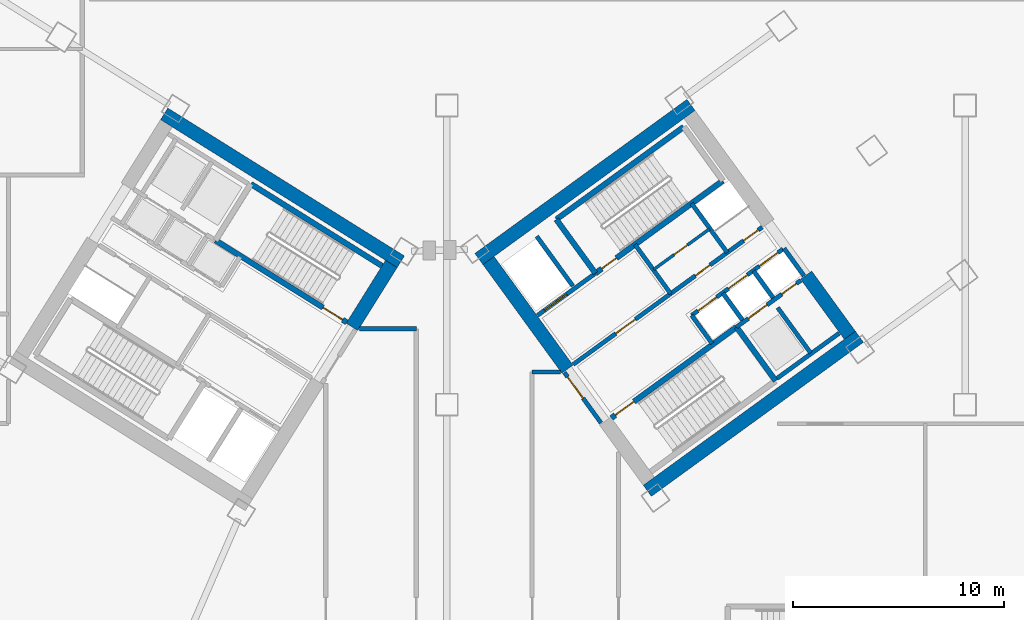
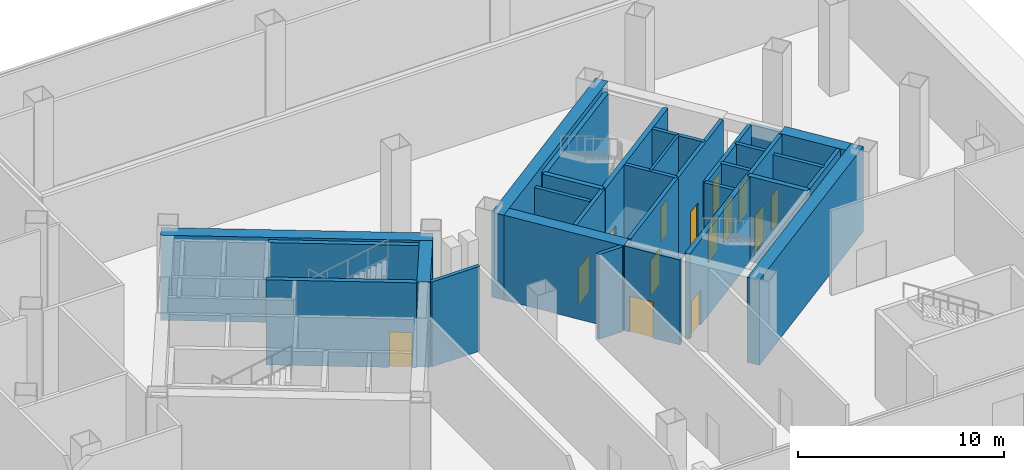
# One storey, part 12 of 22: 31 walls, 14 doors, 14 openings.
"""IFC4 building model written with IfcOpenShell, lengths in metres."""

from ifc_helpers import new_model, si_unit, direction, frame, frame_2d, origin, place, context, subcontext, project, spatial, rectangle, extrude, source, transform, mapped, material, layer, layer_set, type_object, element, fill, save


model = new_model("IFC4")

# Units and contexts
model_context = context("Model", 3, precision=1e-05, world=origin(), true_north=direction((0.0, 1.0)))
body_context = subcontext(model_context, "Body", "Model", "MODEL_VIEW")
ifc_project = project(units=[si_unit("LENGTHUNIT", "METRE"), si_unit("AREAUNIT", "SQUARE_METRE"), si_unit("VOLUMEUNIT", "CUBIC_METRE"), si_unit("PLANEANGLEUNIT", "RADIAN"), si_unit("MASSUNIT", "GRAM", prefix="KILO")], contexts=[model_context])

# Site, building, storey
site_placement = place(None, origin())
site = spatial("IfcSite", under=ifc_project, at=site_placement, CompositionType="ELEMENT")
building_placement = place(site_placement, origin())
building = spatial("IfcBuilding", under=site, at=building_placement, Name="Tlacorven Tower", CompositionType="ELEMENT")
storey_placement = place(building_placement, origin())
storey = spatial("IfcBuildingStorey", under=building, at=storey_placement, Name="L00", CompositionType="ELEMENT", Elevation=0.0)

# Walls
ifc_material_1 = material(Name="Concrete C60/75", Category="concrete")
ifc_layer_1 = layer(ifc_material_1, 0.64990234375)
ifc_layer_set_1 = layer_set([ifc_layer_1], Name="Concrete C60/75")
wall_type_1 = type_object("IfcWallType", Name="WL-COR-650", PredefinedType="SHEAR", material=ifc_layer_set_1)
wall_1_placement = place(storey_placement, frame((40.615478515625, 23.9833984375, 0.0), z_axis=(0.0, 0.0, 1.0), x_axis=(-0.848045953968, 0.529922692436, 0.0)))
element("IfcWall", 1, at=wall_1_placement, inside=storey, type_object=wall_type_1, Name="L00 W core shear wall S1", PredefinedType="SHEAR", context=body_context, shape_type="SweptSolid", body=[
    extrude(rectangle(XDim=13.239990234375, YDim=0.64990234375, at=frame_2d((6.6201171875, 0.0))), origin(), (0.0, 0.0, 1.0), 5.050048828125),
])
wall_2_placement = place(storey_placement, frame((40.167724609375, 23.880126953125, 0.0), z_axis=(0.0, 0.0, 1.0), x_axis=(-0.529893103397, -0.8480644427, 0.0)))
element("IfcWall", 2, at=wall_2_placement, inside=storey, type_object=wall_type_1, Name="L00 W core end wall E1.1", PredefinedType="SHEAR", context=body_context, shape_type="SweptSolid", body=[
    extrude(rectangle(XDim=3.525146484375, YDim=0.64990234375, at=frame_2d((1.7626953125, 0.0))), origin(), (0.0, 0.0, 1.0), 5.050048828125),
])
wall_3_placement = place(storey_placement, frame((52.318359375, 13.1103515625, 0.0), z_axis=(0.0, 0.0, 1.0), x_axis=(0.809019445368, 0.587781878776, 0.0)))
element("IfcWall", 3, at=wall_3_placement, inside=storey, type_object=wall_type_1, Name="L00 E core shear wall S1", PredefinedType="SHEAR", context=body_context, shape_type="SweptSolid", body=[
    extrude(rectangle(XDim=12.43994140625, YDim=0.64990234375, at=frame_2d((6.219970703125, 0.0))), origin(), (0.0, 0.0, 1.0), 5.050048828125),
])
wall_4_placement = place(storey_placement, frame((44.32470703125, 24.113037109375, 0.0), z_axis=(0.0, 0.0, 1.0), x_axis=(0.809012664862, 0.58779121131, 0.0)))
element("IfcWall", 4, at=wall_4_placement, inside=storey, type_object=wall_type_1, Name="L00 E core shear wall S2", PredefinedType="SHEAR", context=body_context, shape_type="SweptSolid", body=[
    extrude(rectangle(XDim=12.439697265625, YDim=0.64990234375, at=frame_2d((6.2197265625, 0.0))), origin(), (0.0, 0.0, 1.0), 5.050048828125),
])
wall_5_placement = place(storey_placement, frame((48.525634765625, 18.883544921875, 0.0), z_axis=(0.0, 0.0, 1.0), x_axis=(-0.58777996584, 0.809020835181, 0.0)))
element("IfcWall", 5, at=wall_5_placement, inside=storey, type_object=wall_type_1, Name="L00 E core end wall E1.2", PredefinedType="SHEAR", context=body_context, shape_type="SweptSolid", body=[
    extrude(rectangle(XDim=6.375, YDim=0.64990234375, at=frame_2d((3.1875, 0.0))), origin(), (0.0, 0.0, 1.0), 5.050048828125),
])
wall_6_placement = place(storey_placement, frame((61.9287109375, 20.494384765625, 0.0), z_axis=(0.0, 0.0, 1.0), x_axis=(-0.58782982593, 0.808984607855, 0.0)))
element("IfcWall", 6, at=wall_6_placement, inside=storey, type_object=wall_type_1, Name="L00 E core end wall E2.1", PredefinedType="SHEAR", context=body_context, shape_type="SweptSolid", body=[
    extrude(rectangle(XDim=3.52490234375, YDim=0.64990234375, at=frame_2d((1.762451171875, 0.0))), origin(), (0.0, 0.0, 1.0), 5.050048828125),
])

# Wall, opening, door
ifc_material_2 = material(Name="Moisture-resistant gypsum plumbing wall", Category="gypsum")
ifc_layer_2 = layer(ifc_material_2, 0.139892578125)
ifc_layer_set_2 = layer_set([ifc_layer_2], Name="Moisture-resistant gypsum plumbing wall")
wall_type_2 = type_object("IfcWallType", Name="WL-PLM-140", PredefinedType="PLUMBINGWALL", material=ifc_layer_set_2)
wall_7_placement = place(storey_placement, frame((52.617919921875, 23.612060546875, 0.0), z_axis=(0.0, 0.0, 1.0), x_axis=(0.809009587469, 0.587795446889, 0.0)))
wall_7 = element("IfcWall", 7, at=wall_7_placement, inside=storey, type_object=wall_type_2, Name="L00 partition 51", PredefinedType="PLUMBINGWALL", context=body_context, shape_type="SweptSolid", body=[
    extrude(rectangle(XDim=3.280029296875, YDim=0.139892578125, at=frame_2d((1.64013671875, 0.0))), origin(), (0.0, 0.0, 1.0), 5.0400390625),
])
opening_1_placement = place(wall_7_placement, frame((1.199951171875, 0.0, 0.0)))
opening_1 = element("IfcOpeningElement", 8, at=opening_1_placement, cuts=wall_7, Name="Opening D22", PredefinedType="OPENING", context=body_context, shape_type="SweptSolid", body=[
    extrude(rectangle(XDim=0.780029296875, YDim=2.050048828125, at=frame_2d((0.39013671875, 1.02490234375))), frame((0.0, 0.080078125, 0.0), z_axis=(0.0, -1.0, 0.0), x_axis=(1.0, 0.0, 0.0)), (0.0, 0.0, 1.0), 0.159912109375),
])
ifc_material_3 = material(Name="Powder-coated aluminium and timber door", Category="wood")
door_type_1 = type_object("IfcDoorType", Name="DR-INT-WET-0780", OperationType="NOTDEFINED", PredefinedType="DOOR", material=ifc_material_3)
shared_shape_1 = source(origin(), body_context, "Body", "SweptSolid", [
    extrude(rectangle(XDim=0.780029296875, YDim=2.050048828125, at=frame_2d((0.39013671875, 1.02490234375))), frame((0.0, 0.02490234375, 0.0), z_axis=(0.0, -1.0, 0.0), x_axis=(1.0, 0.0, 0.0)), (0.0, 0.0, 1.0), 0.050048828125),
])
door_1_placement = place(opening_1_placement, origin())
door_1 = element("IfcDoor", 9, at=door_1_placement, inside=storey, type_object=door_type_1, Name="L00 door 024", OperationType="SINGLE_SWING_LEFT", OverallHeight=2.050048828125, OverallWidth=0.780029296875, PredefinedType="DOOR", context=body_context, shape_type="MappedRepresentation", body=[
    mapped(shared_shape_1, transform((0.0, 0.0, 0.0), scale=1.0)),
])
fill(opening_1, door_1)

ifc_material_4 = material(Name="Concrete C40/50", Category="concrete")
ifc_layer_3 = layer(ifc_material_4, 0.199951171875)
ifc_layer_set_3 = layer_set([ifc_layer_3], Name="Concrete C40/50")
wall_type_3 = type_object("IfcWallType", Name="WL-SHF-200", PredefinedType="STANDARD", material=ifc_layer_set_3)
wall_8_placement = place(storey_placement, frame((47.10595703125, 21.4365234375, 0.0), z_axis=(0.0, 0.0, 1.0), x_axis=(0.809012514015, 0.58779141893, 0.0)))
wall_8 = element("IfcWall", 10, at=wall_8_placement, inside=storey, type_object=wall_type_3, Name="L00 Core E Firefighting Lift Shaft Front Wall", PredefinedType="STANDARD", context=body_context, shape_type="SweptSolid", body=[
    extrude(rectangle(XDim=3.39794921875, YDim=0.199951171875, at=frame_2d((1.698974609375, 0.0))), origin(), (0.0, 0.0, 1.0), 5.0400390625),
])
opening_2_placement = place(wall_8_placement, frame((0.407958984375, 0.0, 0.0)))
opening_2 = element("IfcOpeningElement", 11, at=opening_2_placement, cuts=wall_8, Name="Opening LD03", PredefinedType="OPENING", context=body_context, shape_type="SweptSolid", body=[
    extrude(rectangle(XDim=1.300048828125, YDim=2.199951171875, at=frame_2d((0.64990234375, 1.10009765625))), frame((0.0, 0.10986328125, 0.0), z_axis=(0.0, -1.0, 0.0), x_axis=(1.0, 0.0, 0.0)), (0.0, 0.0, 1.0), 0.219970703125),
])
ifc_material_5 = material(Name="Fire-rated steel door assembly", Category="steel")
door_type_2 = type_object("IfcDoorType", Name="DR-LFT-SLID-1300", OperationType="DOUBLE_DOOR_SLIDING", PredefinedType="DOOR", material=ifc_material_5)
shared_shape_2 = source(origin(), body_context, "Body", "SweptSolid", [
    extrude(rectangle(XDim=1.300048828125, YDim=2.199951171875, at=frame_2d((0.64990234375, 1.10009765625))), frame((0.0, 0.02490234375, 0.0), z_axis=(0.0, -1.0, 0.0), x_axis=(1.0, 0.0, 0.0)), (0.0, 0.0, 1.0), 0.050048828125),
])
door_2_placement = place(opening_2_placement, origin())
door_2 = element("IfcDoor", 12, at=door_2_placement, inside=storey, type_object=door_type_2, Name="L00 Lift FFL-E1 Sliding Landing Door", OperationType="DOUBLE_DOOR_SLIDING", OverallHeight=2.199951171875, OverallWidth=1.300048828125, PredefinedType="DOOR", context=body_context, shape_type="MappedRepresentation", body=[
    mapped(shared_shape_2, transform((0.0, 0.0, 0.0), scale=1.0)),
])
fill(opening_2, door_2)

wall_9_placement = place(storey_placement, frame((48.798828125, 19.106689453125, 0.0), z_axis=(0.0, 0.0, 1.0), x_axis=(0.809012959416, 0.587790805897, 0.0)))
wall_9 = element("IfcWall", 13, at=wall_9_placement, inside=storey, type_object=wall_type_3, Name="L00 Core E Smoke Lobby Wall", PredefinedType="STANDARD", context=body_context, shape_type="SweptSolid", body=[
    extrude(rectangle(XDim=5.7177734375, YDim=0.199951171875, at=frame_2d((2.85888671875, 0.0))), origin(), (0.0, 0.0, 1.0), 5.0400390625),
])
opening_3_placement = place(wall_9_placement, frame((2.498046875, 0.0, 0.0)))
opening_3 = element("IfcOpeningElement", 14, at=opening_3_placement, cuts=wall_9, Name="Opening D09", PredefinedType="OPENING", context=body_context, shape_type="SweptSolid", body=[
    extrude(rectangle(XDim=1.14990234375, YDim=2.10009765625, at=frame_2d((0.574951171875, 1.050048828125))), frame((0.0, 0.10986328125, 0.0), z_axis=(0.0, -1.0, 0.0), x_axis=(1.0, 0.0, 0.0)), (0.0, 0.0, 1.0), 0.219970703125),
])
door_type_3 = type_object("IfcDoorType", Name="DR-FFL-FD60-1150", OperationType="NOTDEFINED", PredefinedType="DOOR", material=ifc_material_5)
shared_shape_3 = source(origin(), body_context, "Body", "SweptSolid", [
    extrude(rectangle(XDim=1.14990234375, YDim=2.10009765625, at=frame_2d((0.574951171875, 1.050048828125))), frame((0.0, 0.02490234375, 0.0), z_axis=(0.0, -1.0, 0.0), x_axis=(1.0, 0.0, 0.0)), (0.0, 0.0, 1.0), 0.050048828125),
])
door_3_placement = place(opening_3_placement, origin())
door_3 = element("IfcDoor", 15, at=door_3_placement, inside=storey, type_object=door_type_3, Name="L00 Firefighting Lobby E Fire Door", OperationType="SINGLE_SWING_LEFT", OverallHeight=2.10009765625, OverallWidth=1.14990234375, PredefinedType="DOOR", context=body_context, shape_type="MappedRepresentation", body=[
    mapped(shared_shape_3, transform((0.0, 0.0, 0.0), scale=1.0)),
])
fill(opening_3, door_3)

# Wall, openings, doors
wall_10_placement = place(storey_placement, frame((56.552978515625, 20.884033203125, 0.0), z_axis=(0.0, 0.0, 1.0), x_axis=(0.809035789462, 0.587759382205, 0.0)))
wall_10 = element("IfcWall", 16, at=wall_10_placement, inside=storey, type_object=wall_type_3, Name="L00 Core E South Lift Shaft Wall", PredefinedType="STANDARD", context=body_context, shape_type="SweptSolid", body=[
    extrude(rectangle(XDim=3.767822265625, YDim=0.199951171875, at=frame_2d((1.8837890625, 0.0))), origin(), (0.0, 0.0, 1.0), 5.0400390625),
])
opening_4_placement = place(wall_10_placement, frame((0.68994140625, 0.0, 0.0)))
opening_4 = element("IfcOpeningElement", 17, at=opening_4_placement, cuts=wall_10, Name="Opening LD01", PredefinedType="OPENING", context=body_context, shape_type="SweptSolid", body=[
    extrude(rectangle(XDim=1.10009765625, YDim=2.14990234375, at=frame_2d((0.550048828125, 1.074951171875))), frame((0.0, 0.10986328125, 0.0), z_axis=(0.0, -1.0, 0.0), x_axis=(1.0, 0.0, 0.0)), (0.0, 0.0, 1.0), 0.219970703125),
])
opening_5_placement = place(wall_10_placement, frame((2.64990234375, 0.0, 0.0)))
opening_5 = element("IfcOpeningElement", 18, at=opening_5_placement, cuts=wall_10, Name="Opening D19", PredefinedType="OPENING", context=body_context, shape_type="SweptSolid", body=[
    extrude(rectangle(XDim=0.860107421875, YDim=2.050048828125, at=frame_2d((0.43017578125, 1.02490234375))), frame((0.0, 0.10986328125, 0.0), z_axis=(0.0, -1.0, 0.0), x_axis=(1.0, 0.0, 0.0)), (0.0, 0.0, 1.0), 0.219970703125),
])
door_type_4 = type_object("IfcDoorType", Name="DR-RSR-FD60-0860", OperationType="NOTDEFINED", PredefinedType="DOOR", material=ifc_material_5)
shared_shape_4 = source(origin(), body_context, "Body", "SweptSolid", [
    extrude(rectangle(XDim=0.860107421875, YDim=2.050048828125, at=frame_2d((0.43017578125, 1.02490234375))), frame((0.0, 0.02490234375, 0.0), z_axis=(0.0, -1.0, 0.0), x_axis=(1.0, 0.0, 0.0)), (0.0, 0.0, 1.0), 0.050048828125),
])
door_4_placement = place(opening_5_placement, origin())
door_4 = element("IfcDoor", 19, at=door_4_placement, inside=storey, type_object=door_type_4, Name="L00 Smoke Extract Riser Access Door", OperationType="SINGLE_SWING_RIGHT", OverallHeight=2.050048828125, OverallWidth=0.860107421875, PredefinedType="DOOR", context=body_context, shape_type="MappedRepresentation", body=[
    mapped(shared_shape_4, transform((0.0, 0.0, 0.0), scale=1.0)),
])
fill(opening_5, door_4)
door_type_5 = type_object("IfcDoorType", Name="DR-LFT-SLID-1100", OperationType="DOUBLE_DOOR_SLIDING", PredefinedType="DOOR", material=ifc_material_5)
shared_shape_5 = source(origin(), body_context, "Body", "SweptSolid", [
    extrude(rectangle(XDim=1.10009765625, YDim=2.14990234375, at=frame_2d((0.550048828125, 1.074951171875))), frame((0.0, 0.02490234375, 0.0), z_axis=(0.0, -1.0, 0.0), x_axis=(1.0, 0.0, 0.0)), (0.0, 0.0, 1.0), 0.050048828125),
])
door_5_placement = place(opening_4_placement, origin())
door_5 = element("IfcDoor", 20, at=door_5_placement, inside=storey, type_object=door_type_5, Name="L00 Lift PL-M4 Sliding Landing Door", OperationType="DOUBLE_DOOR_SLIDING", OverallHeight=2.14990234375, OverallWidth=1.10009765625, PredefinedType="DOOR", context=body_context, shape_type="MappedRepresentation", body=[
    mapped(shared_shape_5, transform((0.0, 0.0, 0.0), scale=1.0)),
])
fill(opening_4, door_5)

wall_11_placement = place(storey_placement, frame((54.421142578125, 21.436279296875, 0.0), z_axis=(0.0, 0.0, 1.0), x_axis=(0.809013710463, 0.587789772183, 0.0)))
wall_11 = element("IfcWall", 21, at=wall_11_placement, inside=storey, type_object=wall_type_3, Name="L00 partition 36", PredefinedType="STANDARD", context=body_context, shape_type="SweptSolid", body=[
    extrude(rectangle(XDim=5.360107421875, YDim=0.199951171875, at=frame_2d((2.68017578125, 0.0))), origin(), (0.0, 0.0, 1.0), 5.0400390625),
])
opening_6_placement = place(wall_11_placement, frame((0.3701171875, 0.0, 0.0)))
opening_6 = element("IfcOpeningElement", 22, at=opening_6_placement, cuts=wall_11, Name="Opening LD01", PredefinedType="OPENING", context=body_context, shape_type="SweptSolid", body=[
    extrude(rectangle(XDim=1.10009765625, YDim=2.14990234375, at=frame_2d((0.550048828125, 1.074951171875))), frame((0.0, 0.10986328125, 0.0), z_axis=(0.0, -1.0, 0.0), x_axis=(1.0, 0.0, 0.0)), (0.0, 0.0, 1.0), 0.219970703125),
])
opening_7_placement = place(wall_11_placement, frame((2.169921875, 0.0, 0.0)))
opening_7 = element("IfcOpeningElement", 23, at=opening_7_placement, cuts=wall_11, Name="Opening LD01", PredefinedType="OPENING", context=body_context, shape_type="SweptSolid", body=[
    extrude(rectangle(XDim=1.10009765625, YDim=2.14990234375, at=frame_2d((0.550048828125, 1.074951171875))), frame((0.0, 0.10986328125, 0.0), z_axis=(0.0, -1.0, 0.0), x_axis=(1.0, 0.0, 0.0)), (0.0, 0.0, 1.0), 0.219970703125),
])
opening_8_placement = place(wall_11_placement, frame((3.969970703125, 0.0, 0.0)))
opening_8 = element("IfcOpeningElement", 24, at=opening_8_placement, cuts=wall_11, Name="Opening LD01", PredefinedType="OPENING", context=body_context, shape_type="SweptSolid", body=[
    extrude(rectangle(XDim=1.10009765625, YDim=2.14990234375, at=frame_2d((0.550048828125, 1.074951171875))), frame((0.0, 0.10986328125, 0.0), z_axis=(0.0, -1.0, 0.0), x_axis=(1.0, 0.0, 0.0)), (0.0, 0.0, 1.0), 0.219970703125),
])
door_6_placement = place(opening_6_placement, origin())
door_6 = element("IfcDoor", 25, at=door_6_placement, inside=storey, type_object=door_type_5, Name="L00 Lift PL-L1 Sliding Landing Door", OperationType="DOUBLE_DOOR_SLIDING", OverallHeight=2.14990234375, OverallWidth=1.10009765625, PredefinedType="DOOR", context=body_context, shape_type="MappedRepresentation", body=[
    mapped(shared_shape_5, transform((0.0, 0.0, 0.0), scale=1.0)),
])
fill(opening_6, door_6)
door_7_placement = place(opening_7_placement, origin())
door_7 = element("IfcDoor", 26, at=door_7_placement, inside=storey, type_object=door_type_5, Name="L00 Lift PL-L2 Sliding Landing Door", OperationType="DOUBLE_DOOR_SLIDING", OverallHeight=2.14990234375, OverallWidth=1.10009765625, PredefinedType="DOOR", context=body_context, shape_type="MappedRepresentation", body=[
    mapped(shared_shape_5, transform((0.0, 0.0, 0.0), scale=1.0)),
])
fill(opening_7, door_7)
door_8_placement = place(opening_8_placement, origin())
door_8 = element("IfcDoor", 27, at=door_8_placement, inside=storey, type_object=door_type_5, Name="L00 Lift PL-L3 Sliding Landing Door", OperationType="DOUBLE_DOOR_SLIDING", OverallHeight=2.14990234375, OverallWidth=1.10009765625, PredefinedType="DOOR", context=body_context, shape_type="MappedRepresentation", body=[
    mapped(shared_shape_5, transform((0.0, 0.0, 0.0), scale=1.0)),
])
fill(opening_8, door_8)

# Walls
wall_12_placement = place(storey_placement, frame((55.390869140625, 20.1015625, 0.0), z_axis=(0.0, 0.0, 1.0), x_axis=(-0.58778447739, 0.809017557374, 0.0)))
element("IfcWall", 28, at=wall_12_placement, inside=storey, type_object=wall_type_3, Name="L00 partition 37", PredefinedType="STANDARD", context=body_context, shape_type="SweptSolid", body=[
    extrude(rectangle(XDim=1.64990234375, YDim=0.199951171875, at=frame_2d((0.824951171875, 0.0))), origin(), (0.0, 0.0, 1.0), 5.0400390625),
])
wall_13_placement = place(storey_placement, frame((48.78564453125, 22.830078125, 0.0), z_axis=(0.0, 0.0, 1.0), x_axis=(-0.587783856777, 0.809018008275, 0.0)))
element("IfcWall", 29, at=wall_13_placement, inside=storey, type_object=wall_type_3, Name="L00 partition 38", PredefinedType="STANDARD", context=body_context, shape_type="SweptSolid", body=[
    extrude(rectangle(XDim=2.919921875, YDim=0.199951171875, at=frame_2d((1.4599609375, 0.0))), origin(), (0.0, 0.0, 1.0), 5.0400390625),
])
wall_14_placement = place(storey_placement, frame((56.833984375, 21.211669921875, 0.0), z_axis=(0.0, 0.0, 1.0), x_axis=(-0.58776738483, 0.809029975545, 0.0)))
element("IfcWall", 30, at=wall_14_placement, inside=storey, type_object=wall_type_3, Name="L00 partition 39", PredefinedType="STANDARD", context=body_context, shape_type="SweptSolid", body=[
    extrude(rectangle(XDim=1.580078125, YDim=0.199951171875, at=frame_2d((0.7900390625, 0.0))), origin(), (0.0, 0.0, 1.0), 5.0400390625),
])
wall_15_placement = place(storey_placement, frame((58.290283203125, 22.269775390625, 0.0), z_axis=(0.0, 0.0, 1.0), x_axis=(-0.587840865826, 0.808976585857, 0.0)))
element("IfcWall", 31, at=wall_15_placement, inside=storey, type_object=wall_type_3, Name="L00 partition 40", PredefinedType="STANDARD", context=body_context, shape_type="SweptSolid", body=[
    extrude(rectangle(XDim=1.579833984375, YDim=0.199951171875, at=frame_2d((0.7900390625, 0.0))), origin(), (0.0, 0.0, 1.0), 5.0400390625),
])
wall_16_placement = place(storey_placement, frame((59.75830078125, 23.3115234375, 0.0), z_axis=(0.0, 0.0, 1.0), x_axis=(-0.587875962906, 0.808951081486, 0.0)))
element("IfcWall", 32, at=wall_16_placement, inside=storey, type_object=wall_type_3, Name="L00 partition 41", PredefinedType="STANDARD", context=body_context, shape_type="SweptSolid", body=[
    extrude(rectangle(XDim=1.6201171875, YDim=0.199951171875, at=frame_2d((0.81005859375, 0.0))), origin(), (0.0, 0.0, 1.0), 5.0400390625),
])
wall_17_placement = place(storey_placement, frame((60.066650390625, 19.654541015625, 0.0), z_axis=(0.0, 0.0, 1.0), x_axis=(-0.587800520745, 0.809005900975, 0.0)))
element("IfcWall", 33, at=wall_17_placement, inside=storey, type_object=wall_type_3, Name="L00 partition 42", PredefinedType="STANDARD", context=body_context, shape_type="SweptSolid", body=[
    extrude(rectangle(XDim=2.659912109375, YDim=0.199951171875, at=frame_2d((1.330078125, 0.0))), origin(), (0.0, 0.0, 1.0), 5.0400390625),
])
wall_18_placement = place(storey_placement, frame((58.47216796875, 18.446533203125, 0.0), z_axis=(0.0, 0.0, 1.0), x_axis=(0.809022487728, 0.587777691266, 0.0)))
element("IfcWall", 34, at=wall_18_placement, inside=storey, type_object=wall_type_3, Name="L00 partition 44", PredefinedType="STANDARD", context=body_context, shape_type="SweptSolid", body=[
    extrude(rectangle(XDim=3.648193359375, YDim=0.199951171875, at=frame_2d((1.82421875, 0.0))), origin(), (0.0, 0.0, 1.0), 5.0400390625),
])
wall_19_placement = place(storey_placement, frame((53.424560546875, 22.467529296875, 0.0), z_axis=(0.0, 0.0, 1.0), x_axis=(-0.5877230039, 0.809062216821, 0.0)))
element("IfcWall", 35, at=wall_19_placement, inside=storey, type_object=wall_type_3, Name="L00 partition 46", PredefinedType="STANDARD", context=body_context, shape_type="SweptSolid", body=[
    extrude(rectangle(XDim=2.8798828125, YDim=0.199951171875, at=frame_2d((1.43994140625, 0.0))), origin(), (0.0, 0.0, 1.0), 5.0400390625),
])
wall_20_placement = place(storey_placement, frame((56.110595703125, 24.4189453125, 0.0), z_axis=(0.0, 0.0, 1.0), x_axis=(-0.58777848983, 0.809021907548, 0.0)))
element("IfcWall", 36, at=wall_20_placement, inside=storey, type_object=wall_type_3, Name="L00 partition 47", PredefinedType="STANDARD", context=body_context, shape_type="SweptSolid", body=[
    extrude(rectangle(XDim=2.880126953125, YDim=0.199951171875, at=frame_2d((1.43994140625, 0.0))), origin(), (0.0, 0.0, 1.0), 5.0400390625),
])

# Wall, openings, doors
wall_21_placement = place(storey_placement, frame((53.424560546875, 22.467529296875, 0.0), z_axis=(0.0, 0.0, 1.0), x_axis=(0.80902705128, 0.587771409902, 0.0)))
wall_21 = element("IfcWall", 37, at=wall_21_placement, inside=storey, type_object=wall_type_3, Name="L00 Core E North Service Wall", PredefinedType="STANDARD", context=body_context, shape_type="SweptSolid", body=[
    extrude(rectangle(XDim=5.3681640625, YDim=0.199951171875, at=frame_2d((2.68408203125, 0.0))), origin(), (0.0, 0.0, 1.0), 5.0400390625),
])
opening_9_placement = place(wall_21_placement, frame((4.280029296875, 0.0, 0.0)))
opening_9 = element("IfcOpeningElement", 38, at=opening_9_placement, cuts=wall_21, Name="Opening D19", PredefinedType="OPENING", context=body_context, shape_type="SweptSolid", body=[
    extrude(rectangle(XDim=0.860107421875, YDim=2.050048828125, at=frame_2d((0.43017578125, 1.02490234375))), frame((0.0, 0.10986328125, 0.0), z_axis=(0.0, -1.0, 0.0), x_axis=(1.0, 0.0, 0.0)), (0.0, 0.0, 1.0), 0.219970703125),
])
opening_10_placement = place(wall_21_placement, frame((1.449951171875, 0.0, 0.0)))
opening_10 = element("IfcOpeningElement", 39, at=opening_10_placement, cuts=wall_21, Name="Opening D19", PredefinedType="OPENING", context=body_context, shape_type="SweptSolid", body=[
    extrude(rectangle(XDim=0.860107421875, YDim=2.050048828125, at=frame_2d((0.43017578125, 1.02490234375))), frame((0.0, 0.10986328125, 0.0), z_axis=(0.0, -1.0, 0.0), x_axis=(1.0, 0.0, 0.0)), (0.0, 0.0, 1.0), 0.219970703125),
])
door_9_placement = place(opening_9_placement, frame((0.860107421875, 0.0, 0.0), z_axis=(0.0, 0.0, 1.0), x_axis=(-1.0, 0.0, 0.0)))
door_9 = element("IfcDoor", 40, at=door_9_placement, inside=storey, type_object=door_type_4, Name="L00 Electrical Riser Access Door E", OperationType="SINGLE_SWING_LEFT", OverallHeight=2.050048828125, OverallWidth=0.860107421875, PredefinedType="DOOR", context=body_context, shape_type="MappedRepresentation", body=[
    mapped(shared_shape_4, transform((0.0, 0.0, 0.0), scale=1.0)),
])
fill(opening_9, door_9)
door_10_placement = place(opening_10_placement, frame((0.860107421875, 0.0, 0.0), z_axis=(0.0, 0.0, 1.0), x_axis=(-1.0, 0.0, 0.0)))
door_10 = element("IfcDoor", 41, at=door_10_placement, inside=storey, type_object=door_type_4, Name="L00 Cleaner Store Access Door E", OperationType="SINGLE_SWING_RIGHT", OverallHeight=2.050048828125, OverallWidth=0.860107421875, PredefinedType="DOOR", context=body_context, shape_type="MappedRepresentation", body=[
    mapped(shared_shape_4, transform((0.0, 0.0, 0.0), scale=1.0)),
])
fill(opening_10, door_10)

# Walls
wall_22_placement = place(storey_placement, frame((38.658203125, 20.800048828125, 0.0), z_axis=(0.0, 0.0, 1.0), x_axis=(1.0, 0.0, 0.0)))
element("IfcWall", 42, at=wall_22_placement, inside=storey, type_object=wall_type_3, Name="L00 Exit Passageway West North Cap", PredefinedType="STANDARD", context=body_context, shape_type="SweptSolid", body=[
    extrude(rectangle(XDim=2.69189453125, YDim=0.199951171875, at=frame_2d((1.345947265625, 0.0))), origin(), (0.0, 0.0, 1.0), 5.0400390625),
])
wall_23_placement = place(storey_placement, frame((46.85009765625, 18.75, 0.0), z_axis=(0.0, 0.0, 1.0), x_axis=(1.0, 0.0, 0.0)))
element("IfcWall", 43, at=wall_23_placement, inside=storey, type_object=wall_type_3, Name="L00 Exit Passageway East North Cap", PredefinedType="STANDARD", context=body_context, shape_type="SweptSolid", body=[
    extrude(rectangle(XDim=1.337646484375, YDim=0.199951171875, at=frame_2d((0.6689453125, 0.0))), origin(), (0.0, 0.0, 1.0), 5.0400390625),
])

# Wall, opening, door
wall_24_placement = place(storey_placement, frame((50.119140625, 16.3330078125, 0.0), z_axis=(0.0, 0.0, 1.0), x_axis=(-0.587749856981, 0.809042709391, 0.0)))
wall_24 = element("IfcWall", 44, at=wall_24_placement, inside=storey, type_object=wall_type_3, Name="L00 partition 67", PredefinedType="STANDARD", context=body_context, shape_type="SweptSolid", body=[
    extrude(rectangle(XDim=2.9599609375, YDim=0.199951171875, at=frame_2d((1.47998046875, 0.0))), origin(), (0.0, 0.0, 1.0), 5.0400390625),
])
opening_11_placement = place(wall_24_placement, frame((1.449951171875, 0.0, 0.0)))
opening_11 = element("IfcOpeningElement", 45, at=opening_11_placement, cuts=wall_24, Name="Opening D08", PredefinedType="OPENING", context=body_context, shape_type="SweptSolid", body=[
    extrude(rectangle(XDim=1.25, YDim=2.14990234375, at=frame_2d((0.625, 1.074951171875))), frame((0.0, 0.10986328125, 0.0), z_axis=(0.0, -1.0, 0.0), x_axis=(1.0, 0.0, 0.0)), (0.0, 0.0, 1.0), 0.219970703125),
])
door_type_6 = type_object("IfcDoorType", Name="DR-STR-FD90-1250", OperationType="NOTDEFINED", PredefinedType="DOOR", material=ifc_material_5)
shared_shape_6 = source(origin(), body_context, "Body", "SweptSolid", [
    extrude(rectangle(XDim=1.25, YDim=2.14990234375, at=frame_2d((0.625, 1.074951171875))), frame((0.0, 0.02490234375, 0.0), z_axis=(0.0, -1.0, 0.0), x_axis=(1.0, 0.0, 0.0)), (0.0, 0.0, 1.0), 0.050048828125),
])
door_11_placement = place(opening_11_placement, origin())
door_11 = element("IfcDoor", 46, at=door_11_placement, inside=storey, type_object=door_type_6, Name="L00 Core E Protected Exit Passageway Fire Door", OperationType="SINGLE_SWING_LEFT", OverallHeight=2.14990234375, OverallWidth=1.25, PredefinedType="DOOR", context=body_context, shape_type="MappedRepresentation", body=[
    mapped(shared_shape_6, transform((0.0, 0.0, 0.0), scale=1.0)),
])
fill(opening_11, door_11)

# Wall
ifc_material_6 = material(Name="Concrete C50/60", Category="concrete")
ifc_layer_4 = layer(ifc_material_6, 0.260009765625)
ifc_layer_set_4 = layer_set([ifc_layer_4], Name="Concrete C50/60")
wall_type_4 = type_object("IfcWallType", Name="WL-STW-260", PredefinedType="SHEAR", material=ifc_layer_set_4)
wall_25_placement = place(storey_placement, frame((39.720947265625, 23.787841796875, 0.0), z_axis=(0.0, 0.0, 1.0), x_axis=(-0.848054434086, 0.529909121291, 0.0)))
element("IfcWall", 47, at=wall_25_placement, inside=storey, type_object=wall_type_4, Name="L00 Stair W2 Far Shear Wall", PredefinedType="SHEAR", context=body_context, shape_type="SweptSolid", body=[
    extrude(rectangle(XDim=7.330078125, YDim=0.260009765625, at=frame_2d((3.6650390625, 0.0))), origin(), (0.0, 0.0, 1.0), 5.050048828125),
])

# Wall, opening, door
wall_26_placement = place(storey_placement, frame((38.04638671875, 21.10791015625, 0.0), z_axis=(0.0, 0.0, 1.0), x_axis=(-0.848054434086, 0.529909121291, 0.0)))
wall_26 = element("IfcWall", 48, at=wall_26_placement, inside=storey, type_object=wall_type_4, Name="L00 Stair W2 Lobby Shear Wall", PredefinedType="SHEAR", context=body_context, shape_type="SweptSolid", body=[
    extrude(rectangle(XDim=7.330078125, YDim=0.260009765625, at=frame_2d((3.6650390625, 0.0))), origin(), (0.0, 0.0, 1.0), 5.050048828125),
])
opening_12_placement = place(wall_26_placement, frame((0.219970703125, 0.0, 0.0)))
opening_12 = element("IfcOpeningElement", 49, at=opening_12_placement, cuts=wall_26, Name="Opening D07", PredefinedType="OPENING", context=body_context, shape_type="SweptSolid", body=[
    extrude(rectangle(XDim=1.10009765625, YDim=2.10009765625, at=frame_2d((0.550048828125, 1.050048828125))), frame((0.0, 0.14013671875, 0.0), z_axis=(0.0, -1.0, 0.0), x_axis=(1.0, 0.0, 0.0)), (0.0, 0.0, 1.0), 0.280029296875),
])
door_type_7 = type_object("IfcDoorType", Name="DR-STR-FD90-1100", OperationType="NOTDEFINED", PredefinedType="DOOR", material=ifc_material_5)
shared_shape_7 = source(origin(), body_context, "Body", "SweptSolid", [
    extrude(rectangle(XDim=1.10009765625, YDim=2.10009765625, at=frame_2d((0.550048828125, 1.050048828125))), frame((0.0, 0.02490234375, 0.0), z_axis=(0.0, -1.0, 0.0), x_axis=(1.0, 0.0, 0.0)), (0.0, 0.0, 1.0), 0.050048828125),
])
door_12_placement = place(opening_12_placement, origin())
door_12 = element("IfcDoor", 50, at=door_12_placement, inside=storey, type_object=door_type_7, Name="L00 Exit Stair W2 Fire Door", OperationType="SINGLE_SWING_LEFT", OverallHeight=2.10009765625, OverallWidth=1.10009765625, PredefinedType="DOOR", context=body_context, shape_type="MappedRepresentation", body=[
    mapped(shared_shape_7, transform((0.0, 0.0, 0.0), scale=1.0)),
])
fill(opening_12, door_12)

# Wall
wall_27_placement = place(storey_placement, frame((48.005615234375, 25.996337890625, 0.0), z_axis=(0.0, 0.0, 1.0), x_axis=(0.80901903764, 0.587782439969, 0.0)))
element("IfcWall", 51, at=wall_27_placement, inside=storey, type_object=wall_type_4, Name="L00 Stair E1 Far Shear Wall", PredefinedType="SHEAR", context=body_context, shape_type="SweptSolid", body=[
    extrude(rectangle(XDim=7.4599609375, YDim=0.260009765625, at=frame_2d((3.72998046875, 0.0))), origin(), (0.0, 0.0, 1.0), 5.050048828125),
])

# Wall, opening, door
wall_28_placement = place(storey_placement, frame((49.863037109375, 23.439697265625, 0.0), z_axis=(0.0, 0.0, 1.0), x_axis=(0.809003474932, 0.587803859759, 0.0)))
wall_28 = element("IfcWall", 52, at=wall_28_placement, inside=storey, type_object=wall_type_4, Name="L00 Stair E1 Lobby Shear Wall", PredefinedType="SHEAR", context=body_context, shape_type="SweptSolid", body=[
    extrude(rectangle(XDim=7.4599609375, YDim=0.260009765625, at=frame_2d((3.72998046875, 0.0))), origin(), (0.0, 0.0, 1.0), 5.050048828125),
])
opening_13_placement = place(wall_28_placement, frame((0.360107421875, 0.0, 0.0)))
opening_13 = element("IfcOpeningElement", 53, at=opening_13_placement, cuts=wall_28, Name="Opening D19", PredefinedType="OPENING", context=body_context, shape_type="SweptSolid", body=[
    extrude(rectangle(XDim=0.860107421875, YDim=2.050048828125, at=frame_2d((0.43017578125, 1.02490234375))), frame((0.0, 0.14013671875, 0.0), z_axis=(0.0, -1.0, 0.0), x_axis=(1.0, 0.0, 0.0)), (0.0, 0.0, 1.0), 0.280029296875),
])
door_13_placement = place(opening_13_placement, frame((0.860107421875, 0.0, 0.0), z_axis=(0.0, 0.0, 1.0), x_axis=(-1.0, 0.0, 0.0)))
door_13 = element("IfcDoor", 54, at=door_13_placement, inside=storey, type_object=door_type_4, Name="L00 Exit Stair E1 Fire Door", OperationType="SINGLE_SWING_LEFT", OverallHeight=2.050048828125, OverallWidth=0.860107421875, PredefinedType="DOOR", context=body_context, shape_type="MappedRepresentation", body=[
    mapped(shared_shape_4, transform((0.0, 0.0, 0.0), scale=1.0)),
])
fill(opening_13, door_13)

# Wall
wall_29_placement = place(storey_placement, frame((49.85498046875, 23.433837890625, 0.0), z_axis=(0.0, 0.0, 1.0), x_axis=(-0.58776738483, 0.809029975545, 0.0)))
element("IfcWall", 55, at=wall_29_placement, inside=storey, type_object=wall_type_4, Name="L00 Stair E1 West Shear Wall", PredefinedType="SHEAR", context=body_context, shape_type="SweptSolid", body=[
    extrude(rectangle(XDim=3.16015625, YDim=0.260009765625, at=frame_2d((1.580078125, 0.0))), origin(), (0.0, 0.0, 1.0), 5.050048828125),
])

# Wall, opening, door
wall_30_placement = place(storey_placement, frame((50.61474609375, 16.569580078125, 0.0), z_axis=(0.0, 0.0, 1.0), x_axis=(0.809028366311, 0.587769599847, 0.0)))
wall_30 = element("IfcWall", 56, at=wall_30_placement, inside=storey, type_object=wall_type_4, Name="L00 Stair E2 Lobby Shear Wall", PredefinedType="SHEAR", context=body_context, shape_type="SweptSolid", body=[
    extrude(rectangle(XDim=7.330078125, YDim=0.260009765625, at=frame_2d((3.6650390625, 0.0))), origin(), (0.0, 0.0, 1.0), 5.050048828125),
])
opening_14_placement = place(wall_30_placement, frame((0.219970703125, 0.0, 0.0)))
opening_14 = element("IfcOpeningElement", 57, at=opening_14_placement, cuts=wall_30, Name="Opening D07", PredefinedType="OPENING", context=body_context, shape_type="SweptSolid", body=[
    extrude(rectangle(XDim=1.10009765625, YDim=2.10009765625, at=frame_2d((0.550048828125, 1.050048828125))), frame((0.0, 0.14013671875, 0.0), z_axis=(0.0, -1.0, 0.0), x_axis=(1.0, 0.0, 0.0)), (0.0, 0.0, 1.0), 0.280029296875),
])
door_14_placement = place(opening_14_placement, origin())
door_14 = element("IfcDoor", 58, at=door_14_placement, inside=storey, type_object=door_type_7, Name="L00 Exit Stair E2 Fire Door", OperationType="SINGLE_SWING_RIGHT", OverallHeight=2.10009765625, OverallWidth=1.10009765625, PredefinedType="DOOR", context=body_context, shape_type="MappedRepresentation", body=[
    mapped(shared_shape_7, transform((0.0, 0.0, 0.0), scale=1.0)),
])
fill(opening_14, door_14)

# Wall
wall_31_placement = place(storey_placement, frame((58.410400390625, 18.327392578125, 0.0), z_axis=(0.0, 0.0, 1.0), x_axis=(-0.58776738483, 0.809029975545, 0.0)))
element("IfcWall", 59, at=wall_31_placement, inside=storey, type_object=wall_type_4, Name="L00 Stair E2 East Shear Wall", PredefinedType="SHEAR", context=body_context, shape_type="SweptSolid", body=[
    extrude(rectangle(XDim=3.16015625, YDim=0.260009765625, at=frame_2d((1.580078125, 0.0))), origin(), (0.0, 0.0, 1.0), 5.050048828125),
])

save(model, "model.ifc")
